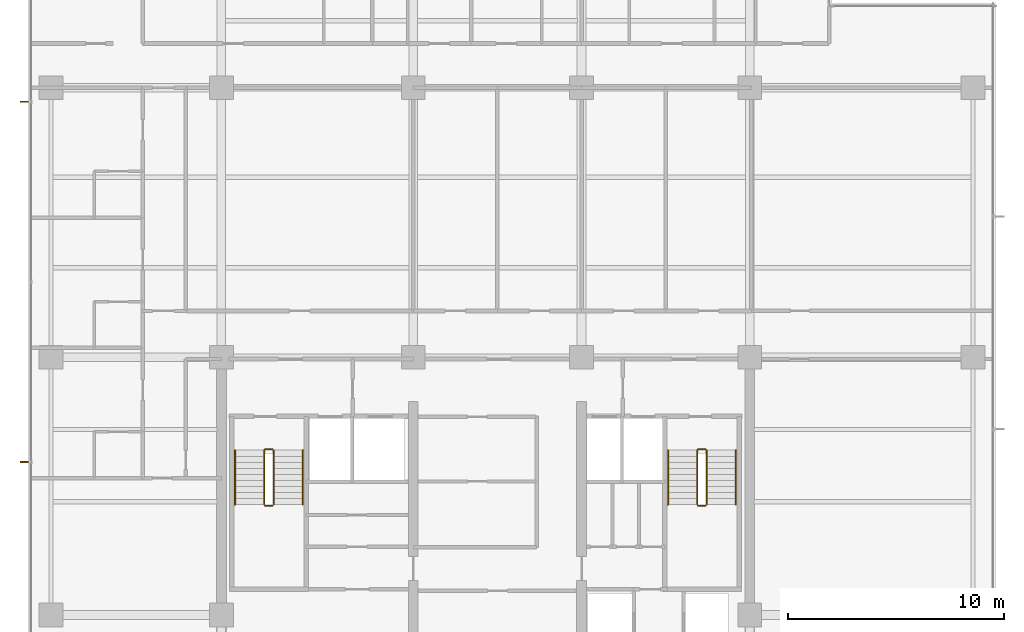
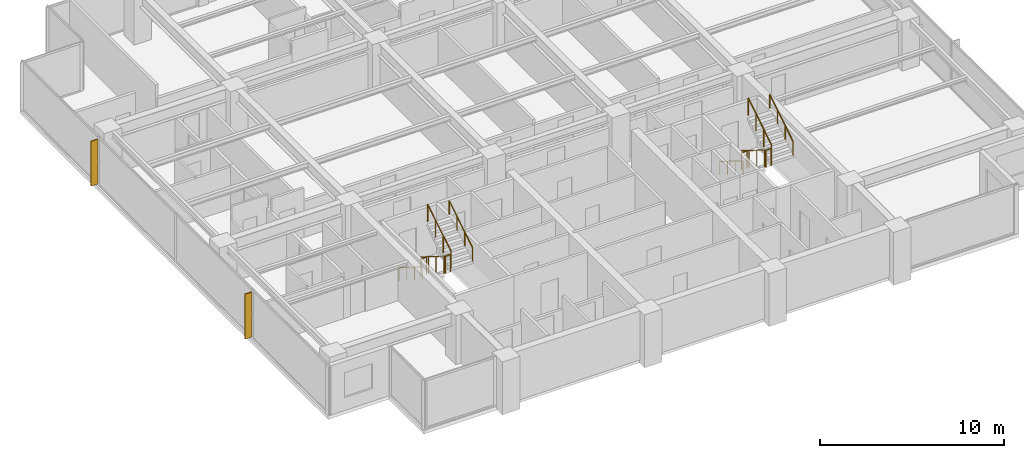
# One storey, part 13 of 14: 12 railings, 2 shading devices.
"""IFC4 building model written with IfcOpenShell, lengths in metres."""

import ifcopenshell
import ifcopenshell.guid

model = None  # the IFC model being written
_history = None  # IfcOwnerHistory: only IFC2X3 demands one
_inside = {}  # id of a spatial element -> (the spatial element, [elements in it])
_under = {}  # id of a project, library or spatial element -> (it, [spatial elements below it])
_declared = {}  # id of a project -> (the project, [libraries it declares])
_typed = {}  # id of a type object -> (the type object, [elements of that type])
_made_of = {}  # id of a material, layer set ... -> (it, [elements and type objects made of it])


def new_model(schema):
    """Start an empty IFC model of exactly this schema.

    Asked for "IFC4X3", IfcOpenShell would pick the latest addendum, in which some entities
    have other attributes; the version numbers below select the first issue.
    IFC2X3 requires an IfcOwnerHistory on every rooted entity: one is made here for all.
    """
    global model, _history
    if schema == "IFC4X3":
        model = ifcopenshell.file(schema_version=(4, 3, 0, 0))
    else:
        model = ifcopenshell.file(schema=schema)
    _inside.clear()
    _under.clear()
    _declared.clear()
    _typed.clear()
    _made_of.clear()
    _history = None
    if model.schema == "IFC2X3":
        org = make("IfcOrganization", Name="unknown")
        user = make(
            "IfcPersonAndOrganization",
            ThePerson=make("IfcPerson", FamilyName="unknown"),
            TheOrganization=org,
        )
        app = make(
            "IfcApplication",
            ApplicationDeveloper=org,
            Version="unknown",
            ApplicationFullName="unknown",
            ApplicationIdentifier="unknown",
        )
        _history = make(
            "IfcOwnerHistory",
            OwningUser=user,
            OwningApplication=app,
            ChangeAction="ADDED",
            CreationDate=0,
        )
    return model


def make(cls, **values):
    """One entity of the class cls with the attributes given. An attribute that is None is left unset."""
    return model.create_entity(
        cls, **{name: value for name, value in values.items() if value is not None}
    )


def rooted(cls, **values):
    """An entity with a GlobalId (a new one), such as an element, a storey or a relation."""
    return make(cls, GlobalId=ifcopenshell.guid.new(), OwnerHistory=_history, **values)


def si_unit(unit_type, name, prefix=None):
    """IfcSIUnit, for example si_unit("LENGTHUNIT", "METRE", prefix="MILLI")."""
    return make("IfcSIUnit", UnitType=unit_type, Prefix=prefix, Name=name)


def assignment(units):
    """IfcUnitAssignment: the units of a project."""
    return None if units is None else make("IfcUnitAssignment", Units=units)


def point(xyz):
    """IfcCartesianPoint."""
    return None if xyz is None else make("IfcCartesianPoint", Coordinates=xyz)


def direction(xyz):
    """IfcDirection."""
    return None if xyz is None else make("IfcDirection", DirectionRatios=xyz)


def frame(location, z_axis=None, x_axis=None):
    """IfcAxis2Placement3D, a coordinate frame: its origin and axes. An axis left out is left unset."""
    return make(
        "IfcAxis2Placement3D",
        Location=point(location),
        Axis=direction(z_axis),
        RefDirection=direction(x_axis),
    )


def frame_2d(location, x_axis=None):
    """IfcAxis2Placement2D, a coordinate frame in the plane: its origin and x axis."""
    return make(
        "IfcAxis2Placement2D", Location=point(location), RefDirection=direction(x_axis)
    )


def origin():
    """The frame at (0, 0, 0) with its axes left unset."""
    return frame((0.0, 0.0, 0.0))


def origin_2d():
    """The frame at (0, 0) in the plane with its x axis left unset."""
    return frame_2d((0.0, 0.0))


def place(relative_to, where):
    """IfcLocalPlacement: puts the frame where relative to a parent placement (None: the world)."""
    return make(
        "IfcLocalPlacement", PlacementRelTo=relative_to, RelativePlacement=where
    )


def context(
    kind, dimensions, precision=None, world=None, true_north=None, identifier=None
):
    """IfcGeometricRepresentationContext, for example the 3D "Model" context."""
    return make(
        "IfcGeometricRepresentationContext",
        ContextIdentifier=identifier,
        ContextType=kind,
        CoordinateSpaceDimension=dimensions,
        Precision=precision,
        WorldCoordinateSystem=world,
        TrueNorth=true_north,
    )


def subcontext(parent, identifier, kind, view, scale=None):
    """IfcGeometricRepresentationSubContext, for example "Body" below "Model"."""
    return make(
        "IfcGeometricRepresentationSubContext",
        ContextIdentifier=identifier,
        ContextType=kind,
        ParentContext=parent,
        TargetScale=scale,
        TargetView=view,
    )


def project(units=None, contexts=None):
    """IfcProject with its units and contexts."""
    return rooted(
        "IfcProject",
        Name="project",
        RepresentationContexts=contexts,
        UnitsInContext=assignment(units),
    )


def spatial(cls, under=None, at=None, **own):
    """A site, building, storey or space (cls), placed at a placement, below another one or the project."""
    s = rooted(cls, ObjectPlacement=at, **own)
    if under is not None:
        _under.setdefault(under.id(), (under, []))[1].append(s)
    return s


def polyline(points):
    """IfcPolyline through the points."""
    return make("IfcPolyline", Points=[point(p) for p in points])


def profile(cls, at=None, kind="AREA", **sizes):
    """A parametric profile (cls). Its sizes go by their IFC names, for example OverallWidth=200.0."""
    return make(cls, ProfileType=kind, Position=at, **sizes)


def circle(**sizes):
    """IfcCircleProfileDef."""
    return profile("IfcCircleProfileDef", **sizes)


def outline(outer, holes=None, kind="AREA"):
    """IfcArbitraryClosedProfileDef: a profile drawn as a closed curve; with holes, ...WithVoids."""
    if holes is None:
        return make("IfcArbitraryClosedProfileDef", ProfileType=kind, OuterCurve=outer)
    return make(
        "IfcArbitraryProfileDefWithVoids",
        ProfileType=kind,
        OuterCurve=outer,
        InnerCurves=holes,
    )


def extrude(swept, where, along, depth):
    """IfcExtrudedAreaSolid: the profile swept, set in the frame where, extruded along a direction by depth."""
    return make(
        "IfcExtrudedAreaSolid",
        SweptArea=swept,
        Position=where,
        ExtrudedDirection=direction(along),
        Depth=depth,
    )


def shape(context_of_items, identifier, shape_type, items):
    """IfcShapeRepresentation: the items that make up one representation, for example the "Body"."""
    return make(
        "IfcShapeRepresentation",
        ContextOfItems=context_of_items,
        RepresentationIdentifier=identifier,
        RepresentationType=shape_type,
        Items=items,
    )


def material(Name=None, Category=None):
    """IfcMaterial."""
    return make("IfcMaterial", Name=Name, Category=Category)


def layer(
    of_material, thickness, ventilated=None, Name=None, Category=None, Priority=None
):
    """IfcMaterialLayer: one layer of a wall or slab, of a material (None: an air gap)."""
    return make(
        "IfcMaterialLayer",
        Material=of_material,
        LayerThickness=thickness,
        IsVentilated=ventilated,
        Name=Name,
        Category=Category,
        Priority=Priority,
    )


def layer_set(layers, Name=None):
    """IfcMaterialLayerSet."""
    return make("IfcMaterialLayerSet", MaterialLayers=layers, LayerSetName=Name)


def made_of(thing, what):
    """Note that an element or type object is made of a material, layer set ...; save() writes the relation."""
    if what is not None:
        _made_of.setdefault(what.id(), (what, []))[1].append(thing)
    return thing


def type_object(cls, material=None, **own):
    """A type object (cls), such as IfcWallType, which elements share."""
    return made_of(rooted(cls, **own), material)


def element(
    cls,
    number,
    at=None,
    inside=None,
    cuts=None,
    type_object=None,
    material=None,
    context=None,
    identifier="Body",
    shape_type=None,
    held_by="IfcProductDefinitionShape",
    body=None,
    shapes=None,
    **own,
):
    """One element of the class cls, such as IfcWall. Its Tag is "e" and its number.

    at: its placement. inside: the storey or other place that contains it. cuts: it is an
    opening in that element (IfcRelVoidsElement). A single representation is given by context,
    identifier, shape_type and body (its items); several are given by shapes. held_by: the class
    of the entity that holds the representations. save() writes the other relations.
    """
    e = rooted(cls, Tag="e%d" % number, ObjectPlacement=at, **own)
    if body is not None:
        shapes = [shape(context, identifier, shape_type, body)]
    if shapes is not None:
        e.Representation = make(held_by, Representations=shapes)
    if inside is not None:
        _inside.setdefault(inside.id(), (inside, []))[1].append(e)
    if cuts is not None:
        rooted(
            "IfcRelVoidsElement", RelatingBuildingElement=cuts, RelatedOpeningElement=e
        )
    if type_object is not None:
        _typed.setdefault(type_object.id(), (type_object, []))[1].append(e)
    return made_of(e, material)


def aggregate(whole, parts):
    """IfcRelAggregates: a whole, such as a stair, and the parts it consists of."""
    return rooted("IfcRelAggregates", RelatingObject=whole, RelatedObjects=parts)


def save(model, path):
    """Write the relations noted so far, then the file.

    IfcRelAggregates (storeys below a building ...), IfcRelContainedInSpatialStructure (elements
    in a storey), IfcRelDefinesByType, IfcRelAssociatesMaterial and IfcRelDeclares: one each for
    every whole, place, type object, material and project.
    """
    for whole, parts in _under.values():
        aggregate(whole, parts)
    for where, things in _inside.values():
        rooted(
            "IfcRelContainedInSpatialStructure",
            RelatedElements=things,
            RelatingStructure=where,
        )
    for kind, things in _typed.values():
        rooted("IfcRelDefinesByType", RelatedObjects=things, RelatingType=kind)
    for what, things in _made_of.values():
        rooted("IfcRelAssociatesMaterial", RelatedObjects=things, RelatingMaterial=what)
    for by, libraries in _declared.values():
        rooted("IfcRelDeclares", RelatingContext=by, RelatedDefinitions=libraries)
    model.write(path)


model = new_model("IFC4")

# Units and contexts
model_context = context("Model", 3, precision=1e-05, world=origin(), true_north=direction((0.0, 1.0)))
body_context = subcontext(model_context, "Body", "Model", "MODEL_VIEW")
ifc_project = project(units=[si_unit("LENGTHUNIT", "METRE"), si_unit("AREAUNIT", "SQUARE_METRE"), si_unit("VOLUMEUNIT", "CUBIC_METRE"), si_unit("PLANEANGLEUNIT", "RADIAN"), si_unit("MASSUNIT", "GRAM", prefix="KILO")], contexts=[model_context])

# Site, building, storey
site_placement = place(None, origin())
site = spatial("IfcSite", under=ifc_project, at=site_placement, CompositionType="ELEMENT")
building_placement = place(site_placement, origin())
building = spatial("IfcBuilding", under=site, at=building_placement, Name="Qalmaran Belvedere Hotel", CompositionType="ELEMENT")
storey_placement = place(building_placement, frame((0.0, 0.0, 152.60009765625)))
storey = spatial("IfcBuildingStorey", under=building, at=storey_placement, Name="L38", CompositionType="ELEMENT", Elevation=152.60009765625)

# Shading devices
ifc_material_1 = material(Name="Anodised Bronze Aluminium", Category="aluminium")
ifc_layer = layer(ifc_material_1, 0.06494140625, Name="Anodised Bronze Aluminium")
ifc_layer_set = layer_set([ifc_layer], Name="Anodised Bronze Aluminium")
shading_device_type = type_object("IfcShadingDeviceType", Name="FIN-BRNZ-420", PredefinedType="USERDEFINED", material=ifc_layer_set)
shading_device_1_placement = place(storey_placement, frame((0.0, 0.0, 0.159912109375)))
element("IfcShadingDevice", 1, at=shading_device_1_placement, inside=storey, type_object=shading_device_type, Name="L38 Bronze Fin 1", ObjectType="FIN", PredefinedType="USERDEFINED", context=body_context, shape_type="SweptSolid", body=[
    extrude(outline(polyline([(11.3798828125, 32.382568359375), (10.9599609375, 32.382568359375), (10.9599609375, 32.3173828125), (11.3798828125, 32.3173828125), (11.3798828125, 32.382568359375)])), origin(), (0.0, 0.0, 1.0), 2.969970703125),
])
shading_device_2_placement = place(storey_placement, frame((0.0, 0.0, 0.159912109375)))
element("IfcShadingDevice", 2, at=shading_device_2_placement, inside=storey, type_object=shading_device_type, Name="L38 Bronze Fin 3", ObjectType="FIN", PredefinedType="USERDEFINED", context=body_context, shape_type="SweptSolid", body=[
    extrude(outline(polyline([(11.3798828125, 15.6826171875), (10.9599609375, 15.6826171875), (10.9599609375, 15.617431640625), (11.3798828125, 15.617431640625), (11.3798828125, 15.6826171875)])), origin(), (0.0, 0.0, 1.0), 2.969970703125),
])

# Railings
ifc_material_2 = material(Name="Stainless Steel 1.4401", Category="steel")
railing_type_1 = type_object("IfcRailingType", Name="RLG-STAIR-GUARD-1150", PredefinedType="GUARDRAIL", material=ifc_material_2)
railing_1_placement = place(storey_placement, frame((22.280029296875, 16.18994140625, 0.1748046875)))
element("IfcRailing", 3, at=railing_1_placement, inside=storey, type_object=railing_type_1, Name="L38 ST-1 stair guard 1", PredefinedType="GUARDRAIL", context=body_context, shape_type="SweptSolid", body=[
    extrude(circle(Radius=0.02392578125, at=origin_2d()), frame((0.0, 0.0, 1.1259765625), z_axis=(0.0, -0.847970611238, 0.530043245855), x_axis=(1.0, 0.0, 0.0)), (0.0, 0.0, 1.0), 2.971923828125),
    extrude(circle(Radius=0.02099609375, at=origin_2d()), origin(), (0.0, 0.0, 1.0), 1.101806640625),
    extrude(circle(Radius=0.02099609375, at=origin_2d()), frame((0.0, -0.840087890625, 0.525146484375)), (0.0, 0.0, 1.0), 1.101806640625),
    extrude(circle(Radius=0.02099609375, at=origin_2d()), frame((0.0, -1.679931640625, 1.050048828125)), (0.0, 0.0, 1.0), 1.101806640625),
    extrude(circle(Radius=0.02099609375, at=origin_2d()), frame((0.0, -2.52001953125, 1.5751953125)), (0.0, 0.0, 1.0), 1.101806640625),
])
railing_2_placement = place(storey_placement, frame((22.330078125, 13.6201171875, 1.75)))
element("IfcRailing", 4, at=railing_2_placement, inside=storey, type_object=railing_type_1, Name="L38 ST-1 stair guard 2", PredefinedType="GUARDRAIL", context=body_context, shape_type="SweptSolid", body=[
    extrude(circle(Radius=0.02392578125, at=origin_2d()), frame((0.0, 0.0, 1.1259765625), z_axis=(1.0, 0.0, 0.0), x_axis=(0.0, 1.0, 0.0)), (0.0, 0.0, 1.0), 0.33984375),
    extrude(circle(Radius=0.02099609375, at=origin_2d()), origin(), (0.0, 0.0, 1.0), 1.101806640625),
    extrude(circle(Radius=0.02099609375, at=origin_2d()), frame((0.33984375, 0.0, 0.0)), (0.0, 0.0, 1.0), 1.101806640625),
])
railing_3_placement = place(storey_placement, frame((22.719970703125, 13.669921875, 1.9248046875)))
element("IfcRailing", 5, at=railing_3_placement, inside=storey, type_object=railing_type_1, Name="L38 ST-1 stair guard 3", PredefinedType="GUARDRAIL", context=body_context, shape_type="SweptSolid", body=[
    extrude(circle(Radius=0.02392578125, at=origin_2d()), frame((0.0, 0.0, 1.1259765625), z_axis=(0.0, 0.847970611238, 0.530043245855), x_axis=(-1.0, 0.0, 0.0)), (0.0, 0.0, 1.0), 2.971923828125),
    extrude(circle(Radius=0.02099609375, at=origin_2d()), origin(), (0.0, 0.0, 1.0), 1.101806640625),
    extrude(circle(Radius=0.02099609375, at=origin_2d()), frame((0.0, 0.840087890625, 0.525146484375)), (0.0, 0.0, 1.0), 1.101806640625),
    extrude(circle(Radius=0.02099609375, at=origin_2d()), frame((0.0, 1.679931640625, 1.050048828125)), (0.0, 0.0, 1.0), 1.101806640625),
    extrude(circle(Radius=0.02099609375, at=origin_2d()), frame((0.0, 2.52001953125, 1.5751953125)), (0.0, 0.0, 1.0), 1.101806640625),
])
railing_4_placement = place(storey_placement, frame((22.330078125, 16.239990234375, 0.0)))
element("IfcRailing", 6, at=railing_4_placement, inside=storey, type_object=railing_type_1, Name="L38 ST-1 stair guard 4", PredefinedType="GUARDRAIL", context=body_context, shape_type="SweptSolid", body=[
    extrude(circle(Radius=0.02392578125, at=origin_2d()), frame((0.0, 0.0, 1.1259765625), z_axis=(1.0, 0.0, 0.0), x_axis=(0.0, 1.0, 0.0)), (0.0, 0.0, 1.0), 0.33984375),
    extrude(circle(Radius=0.02099609375, at=origin_2d()), origin(), (0.0, 0.0, 1.0), 1.101806640625),
    extrude(circle(Radius=0.02099609375, at=origin_2d()), frame((0.33984375, 0.0, 0.0)), (0.0, 0.0, 1.0), 1.101806640625),
])
railing_5_placement = place(storey_placement, frame((42.360107421875, 16.18994140625, 0.1748046875)))
element("IfcRailing", 7, at=railing_5_placement, inside=storey, type_object=railing_type_1, Name="L38 ST-2 stair guard 1", PredefinedType="GUARDRAIL", context=body_context, shape_type="SweptSolid", body=[
    extrude(circle(Radius=0.02392578125, at=origin_2d()), frame((0.0, 0.0, 1.1259765625), z_axis=(0.0, -0.847970611238, 0.530043245855), x_axis=(1.0, 0.0, 0.0)), (0.0, 0.0, 1.0), 2.971923828125),
    extrude(circle(Radius=0.02099609375, at=origin_2d()), origin(), (0.0, 0.0, 1.0), 1.101806640625),
    extrude(circle(Radius=0.02099609375, at=origin_2d()), frame((0.0, -0.840087890625, 0.525146484375)), (0.0, 0.0, 1.0), 1.101806640625),
    extrude(circle(Radius=0.02099609375, at=origin_2d()), frame((0.0, -1.679931640625, 1.050048828125)), (0.0, 0.0, 1.0), 1.101806640625),
    extrude(circle(Radius=0.02099609375, at=origin_2d()), frame((0.0, -2.52001953125, 1.5751953125)), (0.0, 0.0, 1.0), 1.101806640625),
])
railing_6_placement = place(storey_placement, frame((42.409912109375, 13.6201171875, 1.75)))
element("IfcRailing", 8, at=railing_6_placement, inside=storey, type_object=railing_type_1, Name="L38 ST-2 stair guard 2", PredefinedType="GUARDRAIL", context=body_context, shape_type="SweptSolid", body=[
    extrude(circle(Radius=0.02392578125, at=origin_2d()), frame((0.0, 0.0, 1.1259765625), z_axis=(1.0, 0.0, 0.0), x_axis=(0.0, 1.0, 0.0)), (0.0, 0.0, 1.0), 0.340087890625),
    extrude(circle(Radius=0.02099609375, at=origin_2d()), origin(), (0.0, 0.0, 1.0), 1.101806640625),
    extrude(circle(Radius=0.02099609375, at=origin_2d()), frame((0.340087890625, 0.0, 0.0)), (0.0, 0.0, 1.0), 1.101806640625),
])
railing_7_placement = place(storey_placement, frame((42.800048828125, 13.669921875, 1.9248046875)))
element("IfcRailing", 9, at=railing_7_placement, inside=storey, type_object=railing_type_1, Name="L38 ST-2 stair guard 3", PredefinedType="GUARDRAIL", context=body_context, shape_type="SweptSolid", body=[
    extrude(circle(Radius=0.02392578125, at=origin_2d()), frame((0.0, 0.0, 1.1259765625), z_axis=(0.0, 0.847970611238, 0.530043245855), x_axis=(-1.0, 0.0, 0.0)), (0.0, 0.0, 1.0), 2.971923828125),
    extrude(circle(Radius=0.02099609375, at=origin_2d()), origin(), (0.0, 0.0, 1.0), 1.101806640625),
    extrude(circle(Radius=0.02099609375, at=origin_2d()), frame((0.0, 0.840087890625, 0.525146484375)), (0.0, 0.0, 1.0), 1.101806640625),
    extrude(circle(Radius=0.02099609375, at=origin_2d()), frame((0.0, 1.679931640625, 1.050048828125)), (0.0, 0.0, 1.0), 1.101806640625),
    extrude(circle(Radius=0.02099609375, at=origin_2d()), frame((0.0, 2.52001953125, 1.5751953125)), (0.0, 0.0, 1.0), 1.101806640625),
])
railing_8_placement = place(storey_placement, frame((42.409912109375, 16.239990234375, 0.0)))
element("IfcRailing", 10, at=railing_8_placement, inside=storey, type_object=railing_type_1, Name="L38 ST-2 stair guard 4", PredefinedType="GUARDRAIL", context=body_context, shape_type="SweptSolid", body=[
    extrude(circle(Radius=0.02392578125, at=origin_2d()), frame((0.0, 0.0, 1.1259765625), z_axis=(1.0, 0.0, 0.0), x_axis=(0.0, 1.0, 0.0)), (0.0, 0.0, 1.0), 0.340087890625),
    extrude(circle(Radius=0.02099609375, at=origin_2d()), origin(), (0.0, 0.0, 1.0), 1.101806640625),
    extrude(circle(Radius=0.02099609375, at=origin_2d()), frame((0.340087890625, 0.0, 0.0)), (0.0, 0.0, 1.0), 1.101806640625),
])
railing_type_2 = type_object("IfcRailingType", Name="RLG-STAIR-HAND-910", PredefinedType="HANDRAIL", material=ifc_material_2)
railing_9_placement = place(storey_placement, frame((20.929931640625, 16.18994140625, 0.1748046875)))
element("IfcRailing", 11, at=railing_9_placement, inside=storey, type_object=railing_type_2, Name="L38 ST-1 stair handrail 1", PredefinedType="HANDRAIL", context=body_context, shape_type="SweptSolid", body=[
    extrude(circle(Radius=0.02392578125, at=origin_2d()), frame((0.0, 0.0, 0.8857421875), z_axis=(0.0, -0.847970611238, 0.530043245855), x_axis=(1.0, 0.0, 0.0)), (0.0, 0.0, 1.0), 2.971923828125),
    extrude(circle(Radius=0.02099609375, at=origin_2d()), origin(), (0.0, 0.0, 1.0), 0.86181640625),
    extrude(circle(Radius=0.02099609375, at=origin_2d()), frame((0.0, -0.840087890625, 0.525146484375)), (0.0, 0.0, 1.0), 0.86181640625),
    extrude(circle(Radius=0.02099609375, at=origin_2d()), frame((0.0, -1.679931640625, 1.050048828125)), (0.0, 0.0, 1.0), 0.86181640625),
    extrude(circle(Radius=0.02099609375, at=origin_2d()), frame((0.0, -2.52001953125, 1.5751953125)), (0.0, 0.0, 1.0), 0.86181640625),
])
railing_10_placement = place(storey_placement, frame((24.070068359375, 13.669921875, 1.9248046875)))
element("IfcRailing", 12, at=railing_10_placement, inside=storey, type_object=railing_type_2, Name="L38 ST-1 stair handrail 2", PredefinedType="HANDRAIL", context=body_context, shape_type="SweptSolid", body=[
    extrude(circle(Radius=0.02392578125, at=origin_2d()), frame((0.0, 0.0, 0.8857421875), z_axis=(0.0, 0.847970611238, 0.530043245855), x_axis=(-1.0, 0.0, 0.0)), (0.0, 0.0, 1.0), 2.971923828125),
    extrude(circle(Radius=0.02099609375, at=origin_2d()), origin(), (0.0, 0.0, 1.0), 0.86181640625),
    extrude(circle(Radius=0.02099609375, at=origin_2d()), frame((0.0, 0.840087890625, 0.525146484375)), (0.0, 0.0, 1.0), 0.86181640625),
    extrude(circle(Radius=0.02099609375, at=origin_2d()), frame((0.0, 1.679931640625, 1.050048828125)), (0.0, 0.0, 1.0), 0.86181640625),
    extrude(circle(Radius=0.02099609375, at=origin_2d()), frame((0.0, 2.52001953125, 1.5751953125)), (0.0, 0.0, 1.0), 0.86181640625),
])
railing_11_placement = place(storey_placement, frame((41.010009765625, 16.18994140625, 0.1748046875)))
element("IfcRailing", 13, at=railing_11_placement, inside=storey, type_object=railing_type_2, Name="L38 ST-2 stair handrail 1", PredefinedType="HANDRAIL", context=body_context, shape_type="SweptSolid", body=[
    extrude(circle(Radius=0.02392578125, at=origin_2d()), frame((0.0, 0.0, 0.8857421875), z_axis=(0.0, -0.847970611238, 0.530043245855), x_axis=(1.0, 0.0, 0.0)), (0.0, 0.0, 1.0), 2.971923828125),
    extrude(circle(Radius=0.02099609375, at=origin_2d()), origin(), (0.0, 0.0, 1.0), 0.86181640625),
    extrude(circle(Radius=0.02099609375, at=origin_2d()), frame((0.0, -0.840087890625, 0.525146484375)), (0.0, 0.0, 1.0), 0.86181640625),
    extrude(circle(Radius=0.02099609375, at=origin_2d()), frame((0.0, -1.679931640625, 1.050048828125)), (0.0, 0.0, 1.0), 0.86181640625),
    extrude(circle(Radius=0.02099609375, at=origin_2d()), frame((0.0, -2.52001953125, 1.5751953125)), (0.0, 0.0, 1.0), 0.86181640625),
])
railing_12_placement = place(storey_placement, frame((44.14990234375, 13.669921875, 1.9248046875)))
element("IfcRailing", 14, at=railing_12_placement, inside=storey, type_object=railing_type_2, Name="L38 ST-2 stair handrail 2", PredefinedType="HANDRAIL", context=body_context, shape_type="SweptSolid", body=[
    extrude(circle(Radius=0.02392578125, at=origin_2d()), frame((0.0, 0.0, 0.8857421875), z_axis=(0.0, 0.847970611238, 0.530043245855), x_axis=(-1.0, 0.0, 0.0)), (0.0, 0.0, 1.0), 2.971923828125),
    extrude(circle(Radius=0.02099609375, at=origin_2d()), origin(), (0.0, 0.0, 1.0), 0.86181640625),
    extrude(circle(Radius=0.02099609375, at=origin_2d()), frame((0.0, 0.840087890625, 0.525146484375)), (0.0, 0.0, 1.0), 0.86181640625),
    extrude(circle(Radius=0.02099609375, at=origin_2d()), frame((0.0, 1.679931640625, 1.050048828125)), (0.0, 0.0, 1.0), 0.86181640625),
    extrude(circle(Radius=0.02099609375, at=origin_2d()), frame((0.0, 2.52001953125, 1.5751953125)), (0.0, 0.0, 1.0), 0.86181640625),
])

save(model, "model.ifc")
